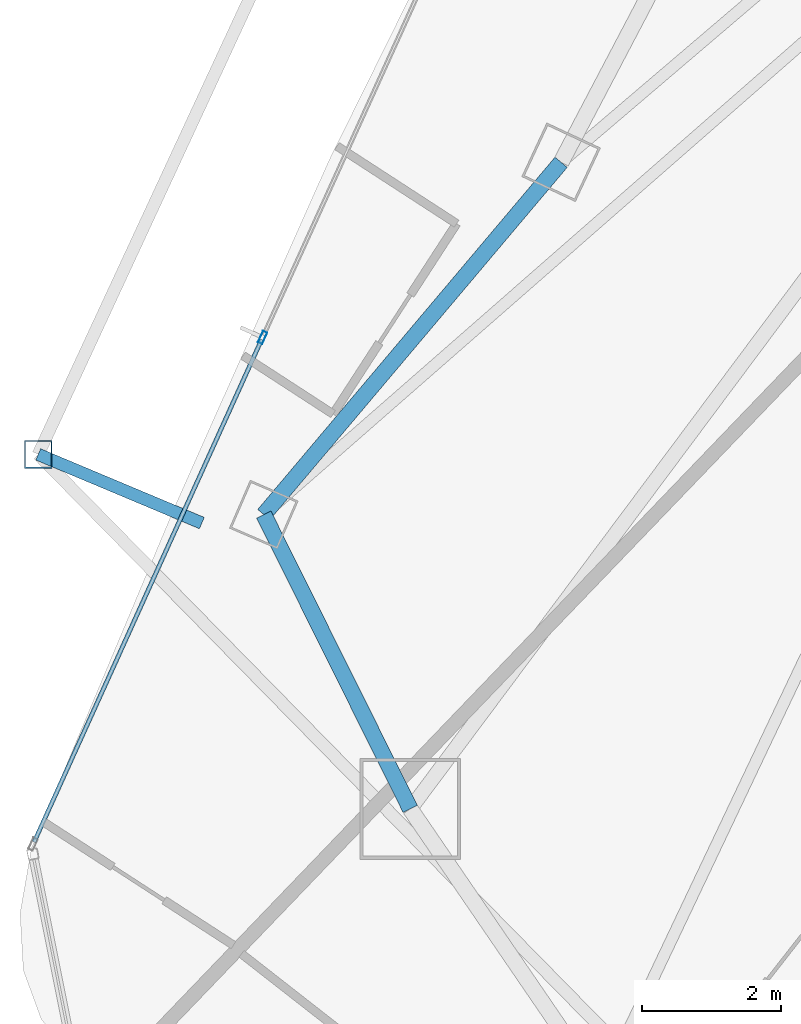
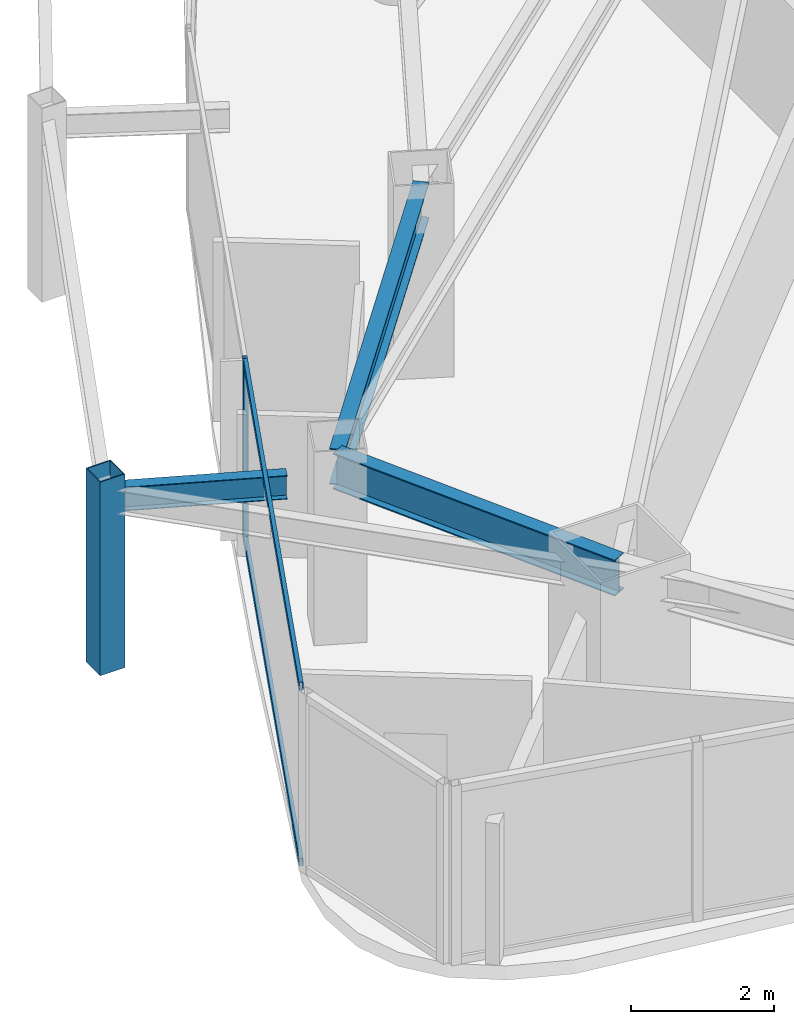
# One storey, part 5 of 30: 4 members, 3 beams, 1 element without a shape of its own.
"""IFC4 building model written with IfcOpenShell, lengths in metres."""

from ifc_helpers import new_model, si_unit, direction, frame, origin, origin_2d, place, context, subcontext, project, spatial, hollow_rectangle, i_section, extrude, material, layer, layer_set, material_profile, profile_set, type_object, element, aggregate, save


model = new_model("IFC4")

# Units and contexts
model_context = context("Model", 3, precision=1e-05, world=origin(), true_north=direction((0.0, 1.0)))
body_context = subcontext(model_context, "Body", "Model", "MODEL_VIEW")
ifc_project = project(units=[si_unit("LENGTHUNIT", "METRE"), si_unit("AREAUNIT", "SQUARE_METRE"), si_unit("VOLUMEUNIT", "CUBIC_METRE"), si_unit("PLANEANGLEUNIT", "RADIAN"), si_unit("MASSUNIT", "GRAM", prefix="KILO")], contexts=[model_context])

# Site, building, storey
site_placement = place(None, origin())
site = spatial("IfcSite", under=ifc_project, at=site_placement, CompositionType="ELEMENT")
building_placement = place(site_placement, origin())
building = spatial("IfcBuilding", under=site, at=building_placement, Name="Orvanel Arch Residences", CompositionType="ELEMENT")
storey_placement = place(building_placement, frame((0.0, 0.0, 180.35009765625)))
storey = spatial("IfcBuildingStorey", under=building, at=storey_placement, Name="L51", CompositionType="ELEMENT", Elevation=180.35009765625)

# Curtain wall, member
ifc_material_1 = material(Name="Bronze-anodised aluminium AA6063-T6", Category="aluminium")
ifc_layer = layer(ifc_material_1, 0.179931640625)
ifc_layer_set = layer_set([ifc_layer], Name="Bronze-anodised aluminium AA6063-T6")
curtain_wall_type = type_object("IfcCurtainWallType", Name="CW3-MID-SYS", PredefinedType="NOTDEFINED", material=ifc_layer_set)
curtain_wall_placement = place(storey_placement, origin())
curtain_wall = element("IfcCurtainWall", 1, at=curtain_wall_placement, inside=storey, type_object=curtain_wall_type, Name="L51 CW3-MID-SYS Unitised Curtain Wall", PredefinedType="NOTDEFINED")
ifc_material_profile_1 = material_profile(ifc_material_1, hollow_rectangle(XDim=0.070068359375, YDim=0.179931640625, WallThickness=0.00439453125, at=origin_2d()), Name="ALU180x70x4.5")
ifc_profile_set_1 = profile_set([ifc_material_profile_1], Name="Bronze-anodised aluminium AA6063-T6")
member_type_1 = type_object("IfcMemberType", Name="MUL-180x70", PredefinedType="MULLION", material=ifc_profile_set_1)
member_1_placement = place(storey_placement, frame((12.077880859375, 17.12548828125, 0.0), z_axis=(0.0, 0.0, 1.0), x_axis=(0.910943582501, -0.412530955809, 0.0)))
member_1 = element("IfcMember", 2, at=member_1_placement, type_object=member_type_1, Name="CW-S3 mullion 2", PredefinedType="MULLION", context=body_context, shape_type="SweptSolid", body=[
    extrude(hollow_rectangle(XDim=0.070068359375, YDim=0.179931640625, WallThickness=0.00439453125, at=origin_2d()), origin(), (0.0, 0.0, 1.0), 3.059814453125),
])

# Beams
ifc_material_2 = material(Name="Structural steel AS/NZS 3679.1 Grade 300 (300 MPa)", Category="steel")
ifc_material_profile_2 = material_profile(ifc_material_2, i_section(OverallWidth=0.177978515625, OverallDepth=0.406005859375, WebThickness=0.0078125, FlangeThickness=0.0126953125, at=origin_2d()), Name="410UB59.7")
ifc_profile_set_2 = profile_set([ifc_material_profile_2], Name="Structural steel AS/NZS 3679.1 Grade 300 (300 MPa)")
beam_type_1 = type_object("IfcBeamType", Name="OB-410UB-EXT", PredefinedType="SPANDREL", material=ifc_profile_set_2)
beam_1_placement = place(storey_placement, frame((11.205078125, 14.4580078125, 2.85693359375), z_axis=(-0.922036789974, 0.387102257722, 0.0), x_axis=(-0.387102257722, -0.922036789974, 0.0)))
element("IfcBeam", 3, at=beam_1_placement, inside=storey, type_object=beam_type_1, Name="L51 Outer Frame Radial Tie Beam 04", PredefinedType="SPANDREL", context=body_context, shape_type="SweptSolid", body=[
    extrude(i_section(OverallWidth=0.177978515625, OverallDepth=0.406005859375, WebThickness=0.0078125, FlangeThickness=0.0126953125, at=origin_2d()), origin(), (0.0, 0.0, 1.0), 2.5498046875),
])
ifc_material_profile_3 = material_profile(ifc_material_2, i_section(OverallWidth=0.22900390625, OverallDepth=0.612060546875, WebThickness=0.011962890625, FlangeThickness=0.01953125, at=origin_2d()), Name="610UB125")
ifc_profile_set_3 = profile_set([ifc_material_profile_3], Name="Structural steel AS/NZS 3679.1 Grade 300 (300 MPa)")
beam_type_2 = type_object("IfcBeamType", Name="SP-610UB", PredefinedType="SPANDREL", material=ifc_profile_set_3)
beam_2_placement = place(storey_placement, frame((16.366943359375, 19.64208984375, 2.75390625), z_axis=(-0.644950329775, -0.764224490659, 0.0), x_axis=(0.764224490659, -0.644950329775, 0.0)))
element("IfcBeam", 4, at=beam_2_placement, inside=storey, type_object=beam_type_2, Name="L51 Perimeter Spandrel Beam 01", PredefinedType="SPANDREL", context=body_context, shape_type="SweptSolid", body=[
    extrude(i_section(OverallWidth=0.22900390625, OverallDepth=0.612060546875, WebThickness=0.011962890625, FlangeThickness=0.01953125, at=origin_2d()), origin(), (0.0, 0.0, 1.0), 6.623779296875),
])
beam_3_placement = place(storey_placement, frame((12.094970703125, 14.580078125, 2.75390625), z_axis=(0.44543469453, -0.895314432425, 0.0), x_axis=(0.895314432425, 0.44543469453, 0.0)))
element("IfcBeam", 5, at=beam_3_placement, inside=storey, type_object=beam_type_2, Name="L51 Perimeter Spandrel Beam 02", PredefinedType="SPANDREL", context=body_context, shape_type="SweptSolid", body=[
    extrude(i_section(OverallWidth=0.22900390625, OverallDepth=0.612060546875, WebThickness=0.011962890625, FlangeThickness=0.01953125, at=origin_2d()), origin(), (0.0, 0.0, 1.0), 4.723388671875),
])

# Member
ifc_material_3 = material(Name="Structural steel AS/NZS 1163 C450L0 (Grade 450)", Category="steel")
ifc_material_profile_4 = material_profile(ifc_material_3, hollow_rectangle(XDim=0.39990234375, YDim=0.39990234375, WallThickness=0.01611328125, at=origin_2d()), Name="SHS400x400x16")
ifc_profile_set_4 = profile_set([ifc_material_profile_4], Name="Structural steel AS/NZS 1163 C450L0 (Grade 450)")
member_type_2 = type_object("IfcMemberType", Name="ST-400SHS-EXT", PredefinedType="STRUT", material=ifc_profile_set_4)
member_2_placement = place(storey_placement, frame((8.85400390625, 15.445068359375, 0.0), z_axis=(0.0, 0.0, 1.0), x_axis=(1.0, 0.0, 0.0)))
element("IfcMember", 6, at=member_2_placement, inside=storey, type_object=member_type_2, Name="L51 Outer Perimeter Frame Post 04", PredefinedType="STRUT", context=body_context, shape_type="SweptSolid", body=[
    extrude(hollow_rectangle(XDim=0.39990234375, YDim=0.39990234375, WallThickness=0.01611328125, at=origin_2d()), origin(), (0.0, 0.0, 1.0), 3.2998046875),
])

ifc_material_profile_5 = material_profile(ifc_material_1, hollow_rectangle(XDim=0.06005859375, YDim=0.135009765625, WallThickness=0.00390625, at=origin_2d()), Name="ALU135x60x4")
ifc_profile_set_5 = profile_set([ifc_material_profile_5], Name="Bronze-anodised aluminium AA6063-T6")
member_type_3 = type_object("IfcMemberType", Name="TRN-135x60", PredefinedType="USERDEFINED", material=ifc_profile_set_5)
member_3_placement = place(storey_placement, frame((12.0634765625, 17.093505859375, 0.02978515625), z_axis=(-0.412521061717, -0.910948063086, 0.0), x_axis=(0.910948063086, -0.412521061717, 0.0)))
member_3 = element("IfcMember", 7, at=member_3_placement, type_object=member_type_3, Name="CW-S3 transom 2.1", ObjectType="TRANSOM", PredefinedType="USERDEFINED", context=body_context, shape_type="SweptSolid", body=[
    extrude(hollow_rectangle(XDim=0.06005859375, YDim=0.135009765625, WallThickness=0.00390625, at=origin_2d()), origin(), (0.0, 0.0, 1.0), 7.92333984375),
])

member_4_placement = place(storey_placement, frame((12.0634765625, 17.093505859375, 3.02978515625), z_axis=(-0.412521061717, -0.910948063086, 0.0), x_axis=(0.910948063086, -0.412521061717, 0.0)))
member_4 = element("IfcMember", 8, at=member_4_placement, type_object=member_type_3, Name="CW-S3 transom 2.2", ObjectType="TRANSOM", PredefinedType="USERDEFINED", context=body_context, shape_type="SweptSolid", body=[
    extrude(hollow_rectangle(XDim=0.06005859375, YDim=0.135009765625, WallThickness=0.00390625, at=origin_2d()), origin(), (0.0, 0.0, 1.0), 7.92333984375),
])

aggregate(curtain_wall, [member_1, member_3, member_4])

save(model, "model.ifc")
